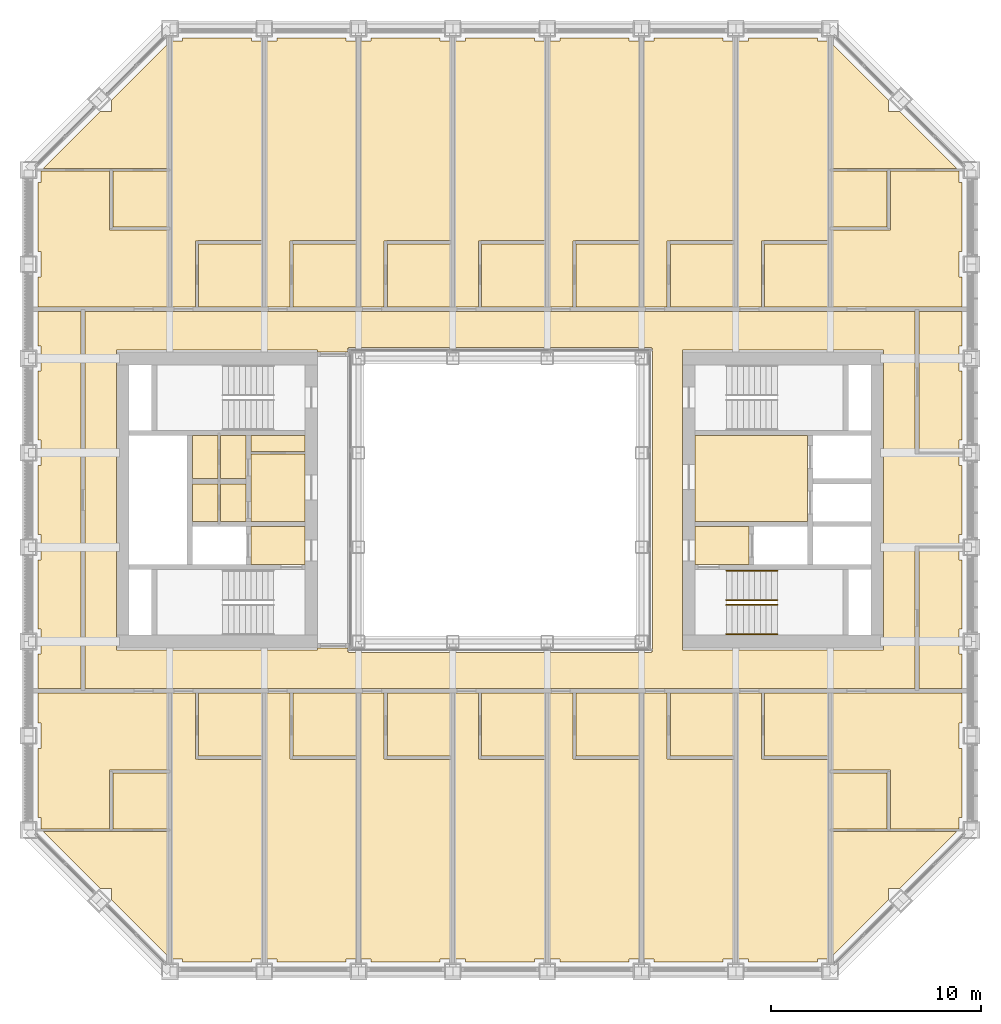
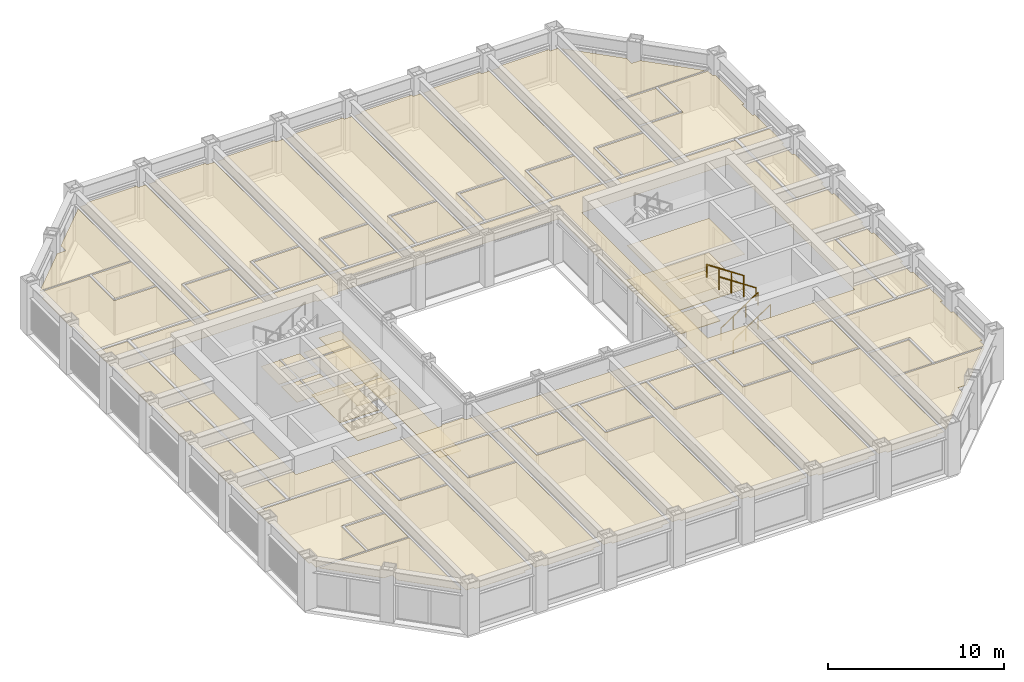
# One storey, part 17 of 18: 5 coverings, 4 railings.
"""IFC4 building model written with IfcOpenShell, lengths in metres."""

from ifc_helpers import new_model, si_unit, direction, frame, origin, origin_2d, place, context, subcontext, project, spatial, line, indexed_curve, circle, outline, extrude, material, layer, layer_set, type_object, element, save


model = new_model("IFC4")

# Units and contexts
model_context = context("Model", 3, precision=1e-05, world=origin(), true_north=direction((0.0, 1.0)))
body_context = subcontext(model_context, "Body", "Model", "MODEL_VIEW")
ifc_project = project(units=[si_unit("LENGTHUNIT", "METRE"), si_unit("AREAUNIT", "SQUARE_METRE"), si_unit("VOLUMEUNIT", "CUBIC_METRE"), si_unit("PLANEANGLEUNIT", "RADIAN"), si_unit("MASSUNIT", "GRAM", prefix="KILO")], contexts=[model_context])

# Site, building, storey
site_placement = place(None, origin())
site = spatial("IfcSite", under=ifc_project, at=site_placement, CompositionType="ELEMENT")
building_placement = place(site_placement, origin())
building = spatial("IfcBuilding", under=site, at=building_placement, Name="Msasa Ring Tower", CompositionType="ELEMENT")
storey_placement = place(building_placement, frame((0.0, 0.0, 125.60009765625)))
storey = spatial("IfcBuildingStorey", under=building, at=storey_placement, Name="L32", CompositionType="ELEMENT", Elevation=125.60009765625)

# Coverings
ifc_material_1 = material(Name="Gypsum plasterboard on a steel suspension grid", Category="steel")
ifc_layer_1 = layer(ifc_material_1, 0.014892578125)
ifc_layer_set_1 = layer_set([ifc_layer_1], Name="C1 SUSPENDED PLASTERBOARD CEILING 15")
covering_type_1 = type_object("IfcCoveringType", Name="C1 SUSPENDED PLASTERBOARD CEILING 15", PredefinedType="CEILING", material=ifc_layer_set_1)
covering_1_placement = place(storey_placement, frame((0.0, 0.0, 2.39990234375)))
element("IfcCovering", 1, at=covering_1_placement, inside=storey, type_object=covering_type_1, Name="Suspended Plasterboard Ceiling 15 circulation L32", PredefinedType="CEILING", context=body_context, shape_type="SweptSolid", body=[
    extrude(outline(indexed_curve([(19.799560546875, 2.199462890625), (21.8994140625, 2.199462890625), (21.8994140625, 1.6494140625), (22.049560546875, 1.6494140625), (22.049560546875, -1.6494140625), (21.8994140625, -1.6494140625), (21.8994140625, -2.199462890625), (19.799560546875, -2.199462890625), (19.799560546875, -8.99951171875), (-19.799560546875, -8.99951171875), (-19.799560546875, 8.99951171875), (19.799560546875, 8.99951171875)], segments=[line(1, 2, 3, 4, 5, 6, 7, 8, 9, 10, 11, 12, 1)], self_intersect=False), holes=[indexed_curve([(18.300537109375, -7.150390625), (18.300537109375, 7.150390625), (8.699462890625, 7.150390625), (8.699462890625, -7.150390625)], segments=[line(1, 2, 3, 4, 1)], self_intersect=False), indexed_curve([(-8.699462890625, 7.150390625), (-18.300537109375, 7.150390625), (-18.300537109375, -7.150390625), (-8.699462890625, -7.150390625), (-8.699462890625, -7.050537109375), (-7.280029296875, -7.050537109375), (-7.280517578125, -7.23046875), (-7.22998046875, -7.23046875), (-7.22998046875, -7.280029296875), (7.22998046875, -7.280029296875), (7.22998046875, -7.23046875), (7.280517578125, -7.23046875), (7.280517578125, 7.23046875), (7.22998046875, 7.23046875), (7.22998046875, 7.280029296875), (-7.22998046875, 7.280029296875), (-7.22998046875, 7.23046875), (-7.280517578125, 7.23046875), (-7.280029296875, 7.050537109375), (-8.699462890625, 7.050537109375)], segments=[line(1, 2, 3, 4, 5, 6, 7, 8, 9, 10, 11, 12, 13, 14, 15, 16, 17, 18, 19, 20, 1)], self_intersect=False)]), origin(), (0.0, 0.0, 1.0), 0.014892578125),
    extrude(outline(indexed_curve([(-9.300537109375, -3.074462890625), (-11.87451171875, -3.074462890625), (-11.87451171875, -1.275390625), (-9.300537109375, -1.275390625)], segments=[line(1, 2, 3, 4, 1)], self_intersect=False)), origin(), (0.0, 0.0, 1.0), 0.014892578125),
    extrude(outline(indexed_curve([(-11.87451171875, -1.0244140625), (-11.87451171875, 2.194580078125), (-9.300537109375, 2.194580078125), (-9.300537109375, -1.0244140625)], segments=[line(1, 2, 3, 4, 1)], self_intersect=False)), origin(), (0.0, 0.0, 1.0), 0.014892578125),
    extrude(outline(indexed_curve([(11.87451171875, -3.074462890625), (9.300537109375, -3.074462890625), (9.300537109375, -1.275390625), (11.87451171875, -1.275390625)], segments=[line(1, 2, 3, 4, 1)], self_intersect=False)), origin(), (0.0, 0.0, 1.0), 0.014892578125),
    extrude(outline(indexed_curve([(9.300537109375, -1.0244140625), (9.300537109375, 3.074462890625), (14.674560546875, 3.074462890625), (14.674560546875, -1.0244140625)], segments=[line(1, 2, 3, 4, 1)], self_intersect=False)), origin(), (0.0, 0.0, 1.0), 0.014892578125),
])
covering_2_placement = place(storey_placement, frame((0.0, 0.0, 2.407958984375)))
element("IfcCovering", 2, at=covering_2_placement, inside=storey, type_object=covering_type_1, Name="Suspended Plasterboard Ceiling 15 L32", PredefinedType="CEILING", context=body_context, shape_type="SweptSolid", body=[
    extrude(outline(indexed_curve([(-22.049560546875, -11.8505859375), (-21.8994140625, -11.8505859375), (-21.8994140625, -10.6494140625), (-22.049560546875, -10.6494140625), (-22.049560546875, -9.200439453125), (-15.8505859375, -9.200439453125), (-15.8505859375, -12.869384765625), (-18.630615234375, -12.869384765625), (-18.630615234375, -15.694580078125), (-21.8994140625, -15.694580078125), (-21.8994140625, -15.1494140625), (-22.049560546875, -15.1494140625)], segments=[line(1, 2, 3, 4, 5, 6, 7, 8, 9, 10, 11, 12, 1)], self_intersect=False)), origin(), (0.0, 0.0, 1.0), 0.014892578125),
    extrude(outline(indexed_curve([(-15.8505859375, 9.200439453125), (-22.049560546875, 9.200439453125), (-22.049560546875, 10.6494140625), (-21.8994140625, 10.6494140625), (-21.8994140625, 11.8505859375), (-22.049560546875, 11.8505859375), (-22.049560546875, 15.1494140625), (-21.8994140625, 15.1494140625), (-21.8994140625, 15.694580078125), (-18.630615234375, 15.694580078125), (-18.630615234375, 12.869384765625), (-15.8505859375, 12.869384765625)], segments=[line(1, 2, 3, 4, 5, 6, 7, 8, 9, 10, 11, 12, 1)], self_intersect=False)), origin(), (0.0, 0.0, 1.0), 0.014892578125),
    extrude(outline(indexed_curve([(-18.5244140625, -19.08837890625), (-18.5244140625, -18.5244140625), (-19.08837890625, -18.5244140625), (-21.807373046875, -15.805419921875), (-15.8505859375, -15.805419921875), (-15.8505859375, -21.762451171875)], segments=[line(1, 2, 3, 4, 5, 6, 1)], self_intersect=False)), origin(), (0.0, 0.0, 1.0), 0.014892578125),
    extrude(outline(indexed_curve([(-19.08837890625, 18.5244140625), (-18.5244140625, 18.5244140625), (-18.5244140625, 19.08837890625), (-15.8505859375, 21.762451171875), (-15.8505859375, 15.805419921875), (-21.807373046875, 15.805419921875)], segments=[line(1, 2, 3, 4, 5, 6, 1)], self_intersect=False)), origin(), (0.0, 0.0, 1.0), 0.014892578125),
    extrude(outline(indexed_curve([(-15.6494140625, -9.200439453125), (-14.525390625, -9.200439453125), (-14.525390625, -12.35009765625), (-14.39990234375, -12.3505859375), (-14.39990234375, -12.37548828125), (-11.3505859375, -12.37548828125), (-11.3505859375, -21.8994140625), (-11.8505859375, -21.8994140625), (-11.8505859375, -22.049560546875), (-15.1494140625, -22.049560546875), (-15.1494140625, -21.8994140625), (-15.6494140625, -21.8994140625)], segments=[line(1, 2, 3, 4, 5, 6, 7, 8, 9, 10, 11, 12, 1)], self_intersect=False)), origin(), (0.0, 0.0, 1.0), 0.014892578125),
    extrude(outline(indexed_curve([(-15.6494140625, 9.200439453125), (-15.6494140625, 21.8994140625), (-15.1494140625, 21.8994140625), (-15.1494140625, 22.049560546875), (-11.8505859375, 22.049560546875), (-11.8505859375, 21.8994140625), (-11.3505859375, 21.8994140625), (-11.3505859375, 12.37548828125), (-14.39990234375, 12.37548828125), (-14.39990234375, 12.3505859375), (-14.525390625, 12.35009765625), (-14.525390625, 9.200439453125)], segments=[line(1, 2, 3, 4, 5, 6, 7, 8, 9, 10, 11, 12, 1)], self_intersect=False)), origin(), (0.0, 0.0, 1.0), 0.014892578125),
    extrude(outline(indexed_curve([(-13.45556640625, -1.0244140625), (-14.674560546875, -1.0244140625), (-14.674560546875, 0.7744140625), (-13.45556640625, 0.7744140625)], segments=[line(1, 2, 3, 4, 1)], self_intersect=False)), origin(), (0.0, 0.0, 1.0), 0.014892578125),
    extrude(outline(indexed_curve([(-13.45556640625, 3.074462890625), (-13.45556640625, 1.025390625), (-14.674560546875, 1.025390625), (-14.674560546875, 3.074462890625)], segments=[line(1, 2, 3, 4, 1)], self_intersect=False)), origin(), (0.0, 0.0, 1.0), 0.014892578125),
    extrude(outline(indexed_curve([(-13.344482421875, 0.7744140625), (-12.12548828125, 0.7744140625), (-12.12548828125, -1.0244140625), (-13.344482421875, -1.0244140625)], segments=[line(1, 2, 3, 4, 1)], self_intersect=False)), origin(), (0.0, 0.0, 1.0), 0.014892578125),
    extrude(outline(indexed_curve([(-12.12548828125, 3.074462890625), (-12.12548828125, 1.025390625), (-13.344482421875, 1.025390625), (-13.344482421875, 3.074462890625)], segments=[line(1, 2, 3, 4, 1)], self_intersect=False)), origin(), (0.0, 0.0, 1.0), 0.014892578125),
    extrude(outline(indexed_curve([(-9.300537109375, 3.074462890625), (-9.300537109375, 2.305419921875), (-11.87451171875, 2.305419921875), (-11.87451171875, 3.074462890625)], segments=[line(1, 2, 3, 4, 1)], self_intersect=False)), origin(), (0.0, 0.0, 1.0), 0.014892578125),
    extrude(outline(indexed_curve([(-11.1494140625, -9.200439453125), (-10.025390625, -9.200439453125), (-10.025390625, -12.35009765625), (-9.89990234375, -12.3505859375), (-9.89990234375, -12.37548828125), (-6.8505859375, -12.37548828125), (-6.8505859375, -21.8994140625), (-7.3505859375, -21.8994140625), (-7.3505859375, -22.049560546875), (-10.6494140625, -22.049560546875), (-10.6494140625, -21.8994140625), (-11.1494140625, -21.8994140625)], segments=[line(1, 2, 3, 4, 5, 6, 7, 8, 9, 10, 11, 12, 1)], self_intersect=False)), origin(), (0.0, 0.0, 1.0), 0.014892578125),
    extrude(outline(indexed_curve([(-11.1494140625, 21.8994140625), (-10.6494140625, 21.8994140625), (-10.6494140625, 22.049560546875), (-7.3505859375, 22.049560546875), (-7.3505859375, 21.8994140625), (-6.8505859375, 21.8994140625), (-6.8505859375, 12.37548828125), (-9.89990234375, 12.37548828125), (-9.89990234375, 12.3505859375), (-10.025390625, 12.35009765625), (-10.025390625, 9.200439453125), (-11.1494140625, 9.200439453125)], segments=[line(1, 2, 3, 4, 5, 6, 7, 8, 9, 10, 11, 12, 1)], self_intersect=False)), origin(), (0.0, 0.0, 1.0), 0.014892578125),
    extrude(outline(indexed_curve([(-6.1494140625, -22.049560546875), (-6.1494140625, -21.8994140625), (-6.6494140625, -21.8994140625), (-6.6494140625, -9.200439453125), (-5.525390625, -9.200439453125), (-5.525390625, -12.35009765625), (-5.39990234375, -12.3505859375), (-5.39990234375, -12.37548828125), (-2.3505859375, -12.37548828125), (-2.3505859375, -21.8994140625), (-2.8505859375, -21.8994140625), (-2.8505859375, -22.049560546875)], segments=[line(1, 2, 3, 4, 5, 6, 7, 8, 9, 10, 11, 12, 1)], self_intersect=False)), origin(), (0.0, 0.0, 1.0), 0.014892578125),
    extrude(outline(indexed_curve([(-6.6494140625, 21.8994140625), (-6.1494140625, 21.8994140625), (-6.1494140625, 22.049560546875), (-2.8505859375, 22.049560546875), (-2.8505859375, 21.8994140625), (-2.3505859375, 21.8994140625), (-2.3505859375, 12.37548828125), (-5.39990234375, 12.37548828125), (-5.39990234375, 12.3505859375), (-5.525390625, 12.35009765625), (-5.525390625, 9.200439453125), (-6.6494140625, 9.200439453125)], segments=[line(1, 2, 3, 4, 5, 6, 7, 8, 9, 10, 11, 12, 1)], self_intersect=False)), origin(), (0.0, 0.0, 1.0), 0.014892578125),
    extrude(outline(indexed_curve([(-2.1494140625, -9.200439453125), (-1.025390625, -9.200439453125), (-1.025390625, -12.35009765625), (-0.89990234375, -12.3505859375), (-0.89990234375, -12.37548828125), (2.1494140625, -12.37548828125), (2.1494140625, -21.8994140625), (1.6494140625, -21.8994140625), (1.6494140625, -22.049560546875), (-1.6494140625, -22.049560546875), (-1.6494140625, -21.8994140625), (-2.1494140625, -21.8994140625)], segments=[line(1, 2, 3, 4, 5, 6, 7, 8, 9, 10, 11, 12, 1)], self_intersect=False)), origin(), (0.0, 0.0, 1.0), 0.014892578125),
    extrude(outline(indexed_curve([(-2.1494140625, 21.8994140625), (-1.6494140625, 21.8994140625), (-1.6494140625, 22.049560546875), (1.6494140625, 22.049560546875), (1.6494140625, 21.8994140625), (2.1494140625, 21.8994140625), (2.1494140625, 12.37548828125), (-0.89990234375, 12.37548828125), (-0.89990234375, 12.3505859375), (-1.025390625, 12.35009765625), (-1.025390625, 9.200439453125), (-2.1494140625, 9.200439453125)], segments=[line(1, 2, 3, 4, 5, 6, 7, 8, 9, 10, 11, 12, 1)], self_intersect=False)), origin(), (0.0, 0.0, 1.0), 0.014892578125),
    extrude(outline(indexed_curve([(2.3505859375, -9.200439453125), (3.474609375, -9.200439453125), (3.474609375, -12.35009765625), (3.60009765625, -12.3505859375), (3.60009765625, -12.37548828125), (6.6494140625, -12.37548828125), (6.6494140625, -21.8994140625), (6.1494140625, -21.8994140625), (6.1494140625, -22.049560546875), (2.8505859375, -22.049560546875), (2.8505859375, -21.8994140625), (2.3505859375, -21.8994140625)], segments=[line(1, 2, 3, 4, 5, 6, 7, 8, 9, 10, 11, 12, 1)], self_intersect=False)), origin(), (0.0, 0.0, 1.0), 0.014892578125),
    extrude(outline(indexed_curve([(2.3505859375, 21.8994140625), (2.8505859375, 21.8994140625), (2.8505859375, 22.049560546875), (6.1494140625, 22.049560546875), (6.1494140625, 21.8994140625), (6.6494140625, 21.8994140625), (6.6494140625, 12.37548828125), (3.60009765625, 12.37548828125), (3.60009765625, 12.3505859375), (3.474609375, 12.35009765625), (3.474609375, 9.200439453125), (2.3505859375, 9.200439453125)], segments=[line(1, 2, 3, 4, 5, 6, 7, 8, 9, 10, 11, 12, 1)], self_intersect=False)), origin(), (0.0, 0.0, 1.0), 0.014892578125),
    extrude(outline(indexed_curve([(6.8505859375, -9.200439453125), (7.974609375, -9.200439453125), (7.974609375, -12.35009765625), (8.10009765625, -12.3505859375), (8.10009765625, -12.37548828125), (11.1494140625, -12.37548828125), (11.1494140625, -21.8994140625), (10.6494140625, -21.8994140625), (10.6494140625, -22.049560546875), (7.3505859375, -22.049560546875), (7.3505859375, -21.8994140625), (6.8505859375, -21.8994140625)], segments=[line(1, 2, 3, 4, 5, 6, 7, 8, 9, 10, 11, 12, 1)], self_intersect=False)), origin(), (0.0, 0.0, 1.0), 0.014892578125),
    extrude(outline(indexed_curve([(6.8505859375, 21.8994140625), (7.3505859375, 21.8994140625), (7.3505859375, 22.049560546875), (10.6494140625, 22.049560546875), (10.6494140625, 21.8994140625), (11.1494140625, 21.8994140625), (11.1494140625, 12.37548828125), (8.10009765625, 12.37548828125), (8.10009765625, 12.3505859375), (7.974609375, 12.35009765625), (7.974609375, 9.200439453125), (6.8505859375, 9.200439453125)], segments=[line(1, 2, 3, 4, 5, 6, 7, 8, 9, 10, 11, 12, 1)], self_intersect=False)), origin(), (0.0, 0.0, 1.0), 0.014892578125),
    extrude(outline(indexed_curve([(11.8505859375, -22.049560546875), (11.8505859375, -21.8994140625), (11.3505859375, -21.8994140625), (11.3505859375, -9.200439453125), (12.474609375, -9.200439453125), (12.474609375, -12.35009765625), (12.60009765625, -12.3505859375), (12.60009765625, -12.37548828125), (15.6494140625, -12.37548828125), (15.6494140625, -21.8994140625), (15.1494140625, -21.8994140625), (15.1494140625, -22.049560546875)], segments=[line(1, 2, 3, 4, 5, 6, 7, 8, 9, 10, 11, 12, 1)], self_intersect=False)), origin(), (0.0, 0.0, 1.0), 0.014892578125),
    extrude(outline(indexed_curve([(11.3505859375, 9.200439453125), (11.3505859375, 21.8994140625), (11.8505859375, 21.8994140625), (11.8505859375, 22.049560546875), (15.1494140625, 22.049560546875), (15.1494140625, 21.8994140625), (15.6494140625, 21.8994140625), (15.6494140625, 12.37548828125), (12.60009765625, 12.37548828125), (12.60009765625, 12.3505859375), (12.474609375, 12.35009765625), (12.474609375, 9.200439453125)], segments=[line(1, 2, 3, 4, 5, 6, 7, 8, 9, 10, 11, 12, 1)], self_intersect=False)), origin(), (0.0, 0.0, 1.0), 0.014892578125),
    extrude(outline(indexed_curve([(15.8505859375, -15.805419921875), (21.807373046875, -15.805419921875), (19.08837890625, -18.5244140625), (18.5244140625, -18.5244140625), (18.5244140625, -19.08837890625), (15.8505859375, -21.762451171875)], segments=[line(1, 2, 3, 4, 5, 6, 1)], self_intersect=False)), origin(), (0.0, 0.0, 1.0), 0.014892578125),
    extrude(outline(indexed_curve([(15.8505859375, -9.200439453125), (22.049560546875, -9.200439453125), (22.049560546875, -10.6494140625), (21.8994140625, -10.6494140625), (21.8994140625, -11.8505859375), (22.049560546875, -11.8505859375), (22.049560546875, -15.1494140625), (21.8994140625, -15.1494140625), (21.8994140625, -15.694580078125), (18.630615234375, -15.694580078125), (18.630615234375, -12.869384765625), (15.8505859375, -12.869384765625)], segments=[line(1, 2, 3, 4, 5, 6, 7, 8, 9, 10, 11, 12, 1)], self_intersect=False)), origin(), (0.0, 0.0, 1.0), 0.014892578125),
    extrude(outline(indexed_curve([(22.049560546875, 11.8505859375), (21.8994140625, 11.8505859375), (21.8994140625, 10.6494140625), (22.049560546875, 10.6494140625), (22.049560546875, 9.200439453125), (15.8505859375, 9.200439453125), (15.8505859375, 12.869384765625), (18.630615234375, 12.869384765625), (18.630615234375, 15.694580078125), (21.8994140625, 15.694580078125), (21.8994140625, 15.1494140625), (22.049560546875, 15.1494140625)], segments=[line(1, 2, 3, 4, 5, 6, 7, 8, 9, 10, 11, 12, 1)], self_intersect=False)), origin(), (0.0, 0.0, 1.0), 0.014892578125),
    extrude(outline(indexed_curve([(15.8505859375, 15.805419921875), (15.8505859375, 21.762451171875), (18.5244140625, 19.08837890625), (18.5244140625, 18.5244140625), (19.08837890625, 18.5244140625), (21.807373046875, 15.805419921875)], segments=[line(1, 2, 3, 4, 5, 6, 1)], self_intersect=False)), origin(), (0.0, 0.0, 1.0), 0.014892578125),
])
ifc_material_2 = material(Name="Moisture-resistant gypsum plasterboard on a steel suspension grid", Category="steel")
ifc_layer_2 = layer(ifc_material_2, 0.014892578125)
ifc_layer_set_2 = layer_set([ifc_layer_2], Name="C2 MOISTURE-RESISTANT PLASTERBOARD CEILING 15")
covering_type_2 = type_object("IfcCoveringType", Name="C2 MOISTURE-RESISTANT PLASTERBOARD CEILING 15", PredefinedType="CEILING", material=ifc_layer_set_2)
covering_3_placement = place(storey_placement, frame((0.0, 0.0, 2.39990234375)))
element("IfcCovering", 3, at=covering_3_placement, inside=storey, type_object=covering_type_2, Name="Moisture-Resistant Plasterboard Ceiling 15 L32", PredefinedType="CEILING", context=body_context, shape_type="SweptSolid", body=[
    extrude(outline(indexed_curve([(-18.469482421875, -13.030517578125), (-15.8505859375, -13.030517578125), (-15.8505859375, -15.694580078125), (-18.469482421875, -15.694580078125)], segments=[line(1, 2, 3, 4, 1)], self_intersect=False)), origin(), (0.0, 0.0, 1.0), 0.014892578125),
    extrude(outline(indexed_curve([(-15.8505859375, 15.694580078125), (-15.8505859375, 13.030517578125), (-18.469482421875, 13.030517578125), (-18.469482421875, 15.694580078125)], segments=[line(1, 2, 3, 4, 1)], self_intersect=False)), origin(), (0.0, 0.0, 1.0), 0.014892578125),
    extrude(outline(indexed_curve([(-11.3505859375, -9.200439453125), (-11.3505859375, -12.224609375), (-14.37451171875, -12.224609375), (-14.37451171875, -9.200439453125)], segments=[line(1, 2, 3, 4, 1)], self_intersect=False)), origin(), (0.0, 0.0, 1.0), 0.014892578125),
    extrude(outline(indexed_curve([(-11.3505859375, 9.200439453125), (-14.37451171875, 9.200439453125), (-14.37451171875, 12.224609375), (-11.3505859375, 12.224609375)], segments=[line(1, 2, 3, 4, 1)], self_intersect=False)), origin(), (0.0, 0.0, 1.0), 0.014892578125),
    extrude(outline(indexed_curve([(-6.8505859375, -9.200439453125), (-6.8505859375, -12.224609375), (-9.87451171875, -12.224609375), (-9.87451171875, -9.200439453125)], segments=[line(1, 2, 3, 4, 1)], self_intersect=False)), origin(), (0.0, 0.0, 1.0), 0.014892578125),
    extrude(outline(indexed_curve([(-6.8505859375, 9.200439453125), (-9.87451171875, 9.200439453125), (-9.87451171875, 12.224609375), (-6.8505859375, 12.224609375)], segments=[line(1, 2, 3, 4, 1)], self_intersect=False)), origin(), (0.0, 0.0, 1.0), 0.014892578125),
    extrude(outline(indexed_curve([(-2.3505859375, -9.200439453125), (-2.3505859375, -12.224609375), (-5.37451171875, -12.224609375), (-5.37451171875, -9.200439453125)], segments=[line(1, 2, 3, 4, 1)], self_intersect=False)), origin(), (0.0, 0.0, 1.0), 0.014892578125),
    extrude(outline(indexed_curve([(-2.3505859375, 9.200439453125), (-5.37451171875, 9.200439453125), (-5.37451171875, 12.224609375), (-2.3505859375, 12.224609375)], segments=[line(1, 2, 3, 4, 1)], self_intersect=False)), origin(), (0.0, 0.0, 1.0), 0.014892578125),
    extrude(outline(indexed_curve([(2.1494140625, -9.200439453125), (2.1494140625, -12.224609375), (-0.87451171875, -12.224609375), (-0.87451171875, -9.200439453125)], segments=[line(1, 2, 3, 4, 1)], self_intersect=False)), origin(), (0.0, 0.0, 1.0), 0.014892578125),
    extrude(outline(indexed_curve([(2.1494140625, 9.200439453125), (-0.87451171875, 9.200439453125), (-0.87451171875, 12.224609375), (2.1494140625, 12.224609375)], segments=[line(1, 2, 3, 4, 1)], self_intersect=False)), origin(), (0.0, 0.0, 1.0), 0.014892578125),
    extrude(outline(indexed_curve([(6.6494140625, -9.200439453125), (6.6494140625, -12.224609375), (3.62548828125, -12.224609375), (3.62548828125, -9.200439453125)], segments=[line(1, 2, 3, 4, 1)], self_intersect=False)), origin(), (0.0, 0.0, 1.0), 0.014892578125),
    extrude(outline(indexed_curve([(6.6494140625, 9.200439453125), (3.62548828125, 9.200439453125), (3.62548828125, 12.224609375), (6.6494140625, 12.224609375)], segments=[line(1, 2, 3, 4, 1)], self_intersect=False)), origin(), (0.0, 0.0, 1.0), 0.014892578125),
    extrude(outline(indexed_curve([(11.1494140625, -9.200439453125), (11.1494140625, -12.224609375), (8.12548828125, -12.224609375), (8.12548828125, -9.200439453125)], segments=[line(1, 2, 3, 4, 1)], self_intersect=False)), origin(), (0.0, 0.0, 1.0), 0.014892578125),
    extrude(outline(indexed_curve([(11.1494140625, 9.200439453125), (8.12548828125, 9.200439453125), (8.12548828125, 12.224609375), (11.1494140625, 12.224609375)], segments=[line(1, 2, 3, 4, 1)], self_intersect=False)), origin(), (0.0, 0.0, 1.0), 0.014892578125),
    extrude(outline(indexed_curve([(15.6494140625, -9.200439453125), (15.6494140625, -12.224609375), (12.62548828125, -12.224609375), (12.62548828125, -9.200439453125)], segments=[line(1, 2, 3, 4, 1)], self_intersect=False)), origin(), (0.0, 0.0, 1.0), 0.014892578125),
    extrude(outline(indexed_curve([(15.6494140625, 9.200439453125), (12.62548828125, 9.200439453125), (12.62548828125, 12.224609375), (15.6494140625, 12.224609375)], segments=[line(1, 2, 3, 4, 1)], self_intersect=False)), origin(), (0.0, 0.0, 1.0), 0.014892578125),
    extrude(outline(indexed_curve([(15.8505859375, -13.030517578125), (18.469482421875, -13.030517578125), (18.469482421875, -15.694580078125), (15.8505859375, -15.694580078125)], segments=[line(1, 2, 3, 4, 1)], self_intersect=False)), origin(), (0.0, 0.0, 1.0), 0.014892578125),
    extrude(outline(indexed_curve([(18.469482421875, 15.694580078125), (18.469482421875, 13.030517578125), (15.8505859375, 13.030517578125), (15.8505859375, 15.694580078125)], segments=[line(1, 2, 3, 4, 1)], self_intersect=False)), origin(), (0.0, 0.0, 1.0), 0.014892578125),
])
ifc_material_3 = material(Name="Mineral fibre ceiling tiles on an exposed steel grid", Category="steel")
ifc_layer_3 = layer(ifc_material_3, 0.02001953125)
ifc_layer_set_3 = layer_set([ifc_layer_3], Name="C3 ACOUSTIC MINERAL FIBRE TILE CEILING 20")
covering_type_3 = type_object("IfcCoveringType", Name="C3 ACOUSTIC MINERAL FIBRE TILE CEILING 20", PredefinedType="CEILING", material=ifc_layer_set_3)
covering_4_placement = place(storey_placement, frame((0.0, 0.0, 2.408935546875)))
element("IfcCovering", 4, at=covering_4_placement, inside=storey, type_object=covering_type_3, Name="Acoustic Mineral Fibre Tile Ceiling 20 L32", PredefinedType="CEILING", context=body_context, shape_type="SweptSolid", body=[
    extrude(outline(indexed_curve([(-22.049560546875, -7.3505859375), (-21.8994140625, -7.3505859375), (-21.8994140625, -6.1494140625), (-22.049560546875, -6.1494140625), (-22.049560546875, -2.8505859375), (-21.8994140625, -2.8505859375), (-21.8994140625, -1.6494140625), (-22.049560546875, -1.6494140625), (-22.049560546875, 1.6494140625), (-21.8994140625, 1.6494140625), (-21.8994140625, 2.8505859375), (-22.049560546875, 2.8505859375), (-22.049560546875, 6.1494140625), (-21.8994140625, 6.1494140625), (-21.8994140625, 7.3505859375), (-22.049560546875, 7.3505859375), (-22.049560546875, 8.99951171875), (-20.00048828125, 8.99951171875), (-20.00048828125, -8.99951171875), (-22.049560546875, -8.99951171875)], segments=[line(1, 2, 3, 4, 5, 6, 7, 8, 9, 10, 11, 12, 13, 14, 15, 16, 17, 18, 19, 20, 1)], self_intersect=False)), origin(), (0.0, 0.0, 1.0), 0.02001953125),
    extrude(outline(indexed_curve([(20.00048828125, -2.305419921875), (21.8994140625, -2.305419921875), (21.8994140625, -2.8505859375), (22.049560546875, -2.8505859375), (22.049560546875, -6.1494140625), (21.8994140625, -6.1494140625), (21.8994140625, -7.3505859375), (22.049560546875, -7.3505859375), (22.049560546875, -8.99951171875), (20.00048828125, -8.99951171875)], segments=[line(1, 2, 3, 4, 5, 6, 7, 8, 9, 10, 1)], self_intersect=False)), origin(), (0.0, 0.0, 1.0), 0.02001953125),
    extrude(outline(indexed_curve([(22.049560546875, 8.99951171875), (22.049560546875, 7.3505859375), (21.8994140625, 7.3505859375), (21.8994140625, 6.1494140625), (22.049560546875, 6.1494140625), (22.049560546875, 2.8505859375), (21.8994140625, 2.8505859375), (21.8994140625, 2.305419921875), (20.00048828125, 2.305419921875), (20.00048828125, 8.99951171875)], segments=[line(1, 2, 3, 4, 5, 6, 7, 8, 9, 10, 1)], self_intersect=False)), origin(), (0.0, 0.0, 1.0), 0.02001953125),
])
ifc_material_4 = material(Name="Honed granite tiles on a mortar bed", Category="masonry")
ifc_layer_4 = layer(ifc_material_4, 0.030029296875)
ifc_layer_set_4 = layer_set([ifc_layer_4], Name="F1 HONED GRANITE ON BEDDING 30")
covering_type_4 = type_object("IfcCoveringType", Name="F1 HONED GRANITE ON BEDDING 30", PredefinedType="FLOORING", material=ifc_layer_set_4)
covering_5_placement = place(storey_placement, origin())
element("IfcCovering", 5, at=covering_5_placement, inside=storey, type_object=covering_type_4, Name="Honed Granite On Bedding 30 L32", PredefinedType="FLOORING", context=body_context, shape_type="SweptSolid", body=[
    extrude(outline(indexed_curve([(-11.87451171875, -3.074462890625), (-11.87451171875, -1.275390625), (-9.300537109375, -1.275390625), (-9.300537109375, -3.074462890625)], segments=[line(1, 2, 3, 4, 1)], self_intersect=False)), origin(), (0.0, 0.0, 1.0), 0.02978515625),
    extrude(outline(indexed_curve([(-11.87451171875, 2.194580078125), (-9.300537109375, 2.194580078125), (-9.300537109375, -1.0244140625), (-11.87451171875, -1.0244140625)], segments=[line(1, 2, 3, 4, 1)], self_intersect=False)), origin(), (0.0, 0.0, 1.0), 0.02978515625),
    extrude(outline(indexed_curve([(-8.699462890625, -6.849609375), (-8.699462890625, 6.849609375), (-7.280029296875, 6.849609375), (-7.280029296875, -6.849609375)], segments=[line(1, 2, 3, 4, 1)], self_intersect=False)), origin(), (0.0, 0.0, 1.0), 0.02978515625),
    extrude(outline(indexed_curve([(9.300537109375, -3.074462890625), (9.300537109375, -1.275390625), (11.87451171875, -1.275390625), (11.87451171875, -3.074462890625)], segments=[line(1, 2, 3, 4, 1)], self_intersect=False)), origin(), (0.0, 0.0, 1.0), 0.02978515625),
    extrude(outline(indexed_curve([(9.300537109375, 3.074462890625), (14.674560546875, 3.074462890625), (14.674560546875, -1.0244140625), (9.300537109375, -1.0244140625)], segments=[line(1, 2, 3, 4, 1)], self_intersect=False)), origin(), (0.0, 0.0, 1.0), 0.02978515625),
])

# Railings
ifc_material_5 = material(Name="Stainless steel", Category="steel")
railing_type = type_object("IfcRailingType", Name="HR1 HANDRAIL 900", PredefinedType="HANDRAIL", material=ifc_material_5)
for number, where, name in (
    (6, (10.800048828125, -6.39990234375, 0.179931640625), "Handrail stair SEA L32 1"),
    (7, (10.800048828125, -5.0, 0.179931640625), "Handrail stair SEA L32 2"),
):
    element("IfcRailing", number, at=place(storey_placement, frame(where)), inside=storey, type_object=railing_type, Name=name, PredefinedType="HANDRAIL", context=body_context, shape_type="SweptSolid", body=[
        extrude(circle(Radius=0.02392578125, at=origin_2d()), frame((0.0, 0.0, 0.8759765625), z_axis=(0.832063155534, 0.0, 0.554680903946), x_axis=(0.0, 1.0, 0.0)), (0.0, 0.0, 1.0), 2.92041015625),
        extrude(circle(Radius=0.02099609375, at=origin_2d()), origin(), (0.0, 0.0, 1.0), 0.851806640625),
        extrude(circle(Radius=0.02099609375, at=origin_2d()), frame((0.81005859375, 0.0, 0.5400390625)), (0.0, 0.0, 1.0), 0.851806640625),
        extrude(circle(Radius=0.02099609375, at=origin_2d()), frame((1.619873046875, 0.0, 1.079833984375)), (0.0, 0.0, 1.0), 0.851806640625),
        extrude(circle(Radius=0.02099609375, at=origin_2d()), frame((2.429931640625, 0.0, 1.619873046875)), (0.0, 0.0, 1.0), 0.851806640625),
    ])
for number, where, name in (
    (8, (13.22998046875, -4.77490234375, 1.97998046875), "Handrail stair SEA L32 3"),
    (9, (13.22998046875, -3.375, 1.97998046875), "Handrail stair SEA L32 4"),
):
    element("IfcRailing", number, at=place(storey_placement, frame(where)), inside=storey, type_object=railing_type, Name=name, PredefinedType="HANDRAIL", context=body_context, shape_type="SweptSolid", body=[
        extrude(circle(Radius=0.02392578125, at=origin_2d()), frame((0.0, 0.0, 0.8759765625), z_axis=(-0.832063155534, 0.0, 0.554680903946), x_axis=(0.0, -1.0, 0.0)), (0.0, 0.0, 1.0), 2.92041015625),
        extrude(circle(Radius=0.02099609375, at=origin_2d()), origin(), (0.0, 0.0, 1.0), 0.851806640625),
        extrude(circle(Radius=0.02099609375, at=origin_2d()), frame((-0.81005859375, 0.0, 0.5400390625)), (0.0, 0.0, 1.0), 0.851806640625),
        extrude(circle(Radius=0.02099609375, at=origin_2d()), frame((-1.619873046875, 0.0, 1.079833984375)), (0.0, 0.0, 1.0), 0.851806640625),
        extrude(circle(Radius=0.02099609375, at=origin_2d()), frame((-2.429931640625, 0.0, 1.619873046875)), (0.0, 0.0, 1.0), 0.851806640625),
    ])

save(model, "model.ifc")
